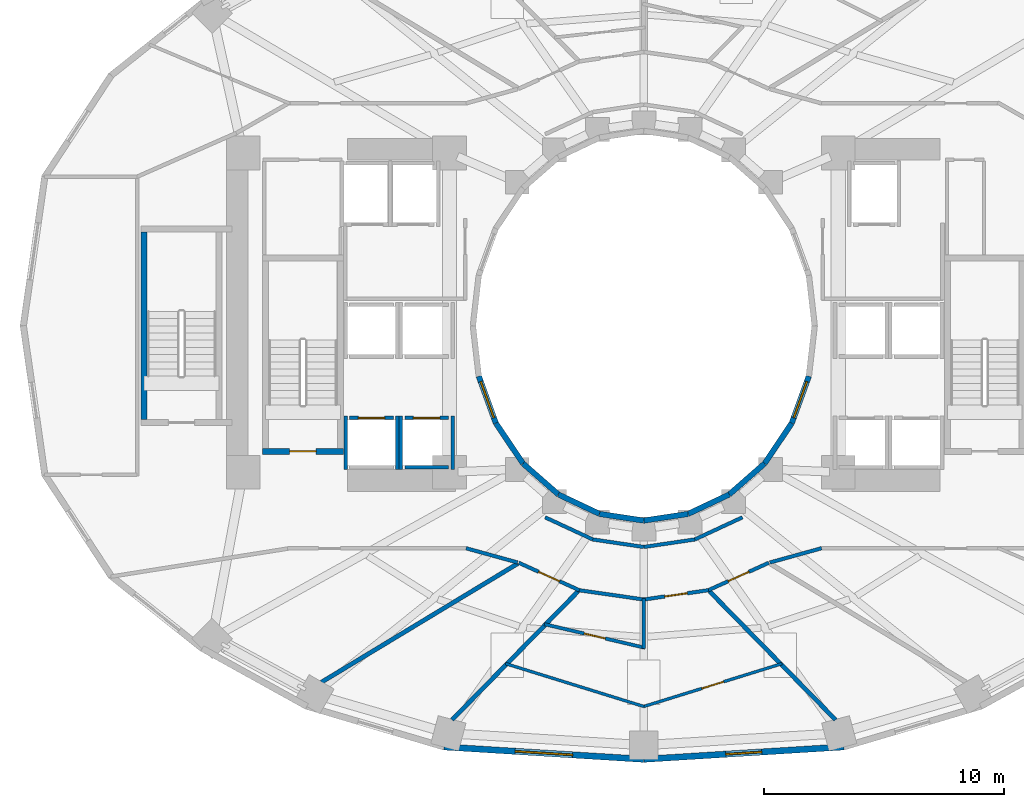
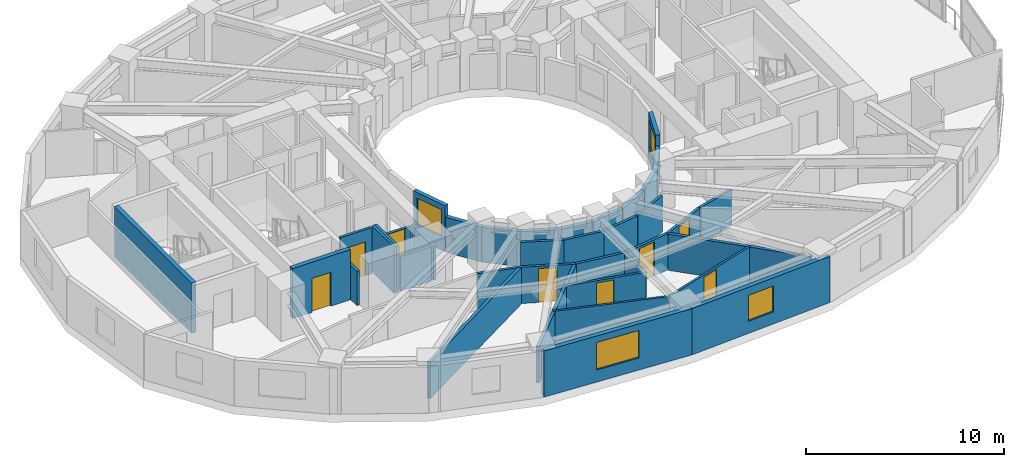
# One storey, part 7 of 15: 38 walls, 8 doors, 4 windows, 12 openings.
"""IFC4 building model written with IfcOpenShell, lengths in metres."""

from ifc_helpers import new_model, si_unit, direction, frame, frame_2d, origin, place, context, subcontext, project, spatial, rectangle, extrude, material, layer, layer_set, type_object, element, fill, save


model = new_model("IFC4")

# Units and contexts
model_context = context("Model", 3, precision=1e-05, world=origin(), true_north=direction((0.0, 1.0)))
body_context = subcontext(model_context, "Body", "Model", "MODEL_VIEW")
ifc_project = project(units=[si_unit("LENGTHUNIT", "METRE"), si_unit("AREAUNIT", "SQUARE_METRE"), si_unit("VOLUMEUNIT", "CUBIC_METRE"), si_unit("PLANEANGLEUNIT", "RADIAN"), si_unit("MASSUNIT", "GRAM", prefix="KILO")], contexts=[model_context])

# Site, building, storey
site_placement = place(None, origin())
site = spatial("IfcSite", under=ifc_project, at=site_placement, CompositionType="ELEMENT")
building_placement = place(site_placement, origin())
building = spatial("IfcBuilding", under=site, at=building_placement, Name="Solvane Sanctuary Tower", CompositionType="ELEMENT")
storey_placement = place(building_placement, frame((0.0, 0.0, 46.199951171875)))
storey = spatial("IfcBuildingStorey", under=building, at=storey_placement, Name="L13", CompositionType="ELEMENT", Elevation=46.199951171875)

# Walls
ifc_material_1 = material(Name="Acoustic Gypsum Partition Board")
ifc_layer_1 = layer(ifc_material_1, 0.14990234375, Name="Acoustic Gypsum Partition Board")
ifc_layer_set_1 = layer_set([ifc_layer_1], Name="Acoustic Gypsum Partition Board")
wall_type_1 = type_object("IfcWallType", Name="Wall W-CORR-150", PredefinedType="PARTITIONING", material=ifc_layer_set_1)
wall_1_placement = place(storey_placement, frame((27.889892578125, 15.01513671875, 0.0), z_axis=(0.0, 0.0, 1.0), x_axis=(0.906943449489, -0.421252393975, 0.0)))
element("IfcWall", 1, at=wall_1_placement, inside=storey, type_object=wall_type_1, Name="L13 Light-Well Corridor Rim Wall S1", PredefinedType="PARTITIONING", context=body_context, shape_type="SweptSolid", body=[
    extrude(rectangle(XDim=2.18603515625, YDim=0.14990234375, at=frame_2d((1.093017578125, 0.0))), origin(), (0.0, 0.0, 1.0), 2.237060546875),
])
for number, where, z_axis, x_axis, name in (
    (2, (29.87255859375, 14.09423828125, 0.0), (0.0, 0.0, 1.0), (0.989268584896, -0.146108408166, 0.0), "L13 Light-Well Corridor Rim Wall S2"),
    (3, (32.0, 13.780029296875, 0.0), (0.0, 0.0, 1.0), (0.989268584896, 0.146108408166, 0.0), "L13 Light-Well Corridor Rim Wall S3"),
):
    element("IfcWall", number, at=place(storey_placement, frame(where, z_axis=z_axis, x_axis=x_axis)), inside=storey, type_object=wall_type_1, Name=name, PredefinedType="PARTITIONING", context=body_context, shape_type="SweptSolid", body=[
        extrude(rectangle(XDim=2.150634765625, YDim=0.14990234375, at=frame_2d((1.0751953125, 0.0))), origin(), (0.0, 0.0, 1.0), 2.237060546875),
    ])
wall_2_placement = place(storey_placement, frame((34.12744140625, 14.09423828125, 0.0), z_axis=(0.0, 0.0, 1.0), x_axis=(0.906943449489, 0.421252393975, 0.0)))
element("IfcWall", 4, at=wall_2_placement, inside=storey, type_object=wall_type_1, Name="L13 Light-Well Corridor Rim Wall S4", PredefinedType="PARTITIONING", context=body_context, shape_type="SweptSolid", body=[
    extrude(rectangle(XDim=2.18603515625, YDim=0.14990234375, at=frame_2d((1.093017578125, 0.0))), origin(), (0.0, 0.0, 1.0), 2.237060546875),
])
for number, where, z_axis, x_axis, name in (
    (5, (26.741943359375, 13.13330078125, 0.0), (0.0, 0.0, 1.0), (-0.963833843713, 0.266503886865, 0.0), "L13 SW Corner Throat Wall"),
    (6, (37.258056640625, 13.13330078125, 0.0), (0.0, 0.0, 1.0), (0.963833843713, 0.266503886865, 0.0), "L13 SE Corner Throat Wall"),
):
    element("IfcWall", number, at=place(storey_placement, frame(where, z_axis=z_axis, x_axis=x_axis)), inside=storey, type_object=wall_type_1, Name=name, PredefinedType="PARTITIONING", context=body_context, shape_type="SweptSolid", body=[
        extrude(rectangle(XDim=2.231689453125, YDim=0.14990234375, at=frame_2d((1.11572265625, 0.0))), origin(), (0.0, 0.0, 1.0), 2.237060546875),
    ])

# Wall, opening, door
wall_3_placement = place(storey_placement, frame((26.788818359375, 13.12255859375, 0.0), z_axis=(0.0, 0.0, 1.0), x_axis=(0.910568469686, -0.41335827319, 0.0)))
wall_3 = element("IfcWall", 7, at=wall_3_placement, inside=storey, type_object=wall_type_1, Name="L13 Unit Corridor Wall S1", PredefinedType="PARTITIONING", context=body_context, shape_type="SweptSolid", body=[
    extrude(rectangle(XDim=2.771728515625, YDim=0.14990234375, at=frame_2d((1.3857421875, 0.0))), origin(), (0.0, 0.0, 1.0), 2.237060546875),
])
opening_1_placement = place(wall_3_placement, frame((0.910888671875, 0.0, 0.0)))
opening_1 = element("IfcOpeningElement", 8, at=opening_1_placement, cuts=wall_3, Name="Opening D-L13-22", PredefinedType="OPENING", context=body_context, shape_type="SweptSolid", body=[
    extrude(rectangle(XDim=0.949951171875, YDim=2.10009765625, at=frame_2d((0.47509765625, 1.050048828125))), frame((0.0, 0.0849609375, 0.0), z_axis=(0.0, -1.0, 0.0), x_axis=(1.0, 0.0, 0.0)), (0.0, 0.0, 1.0), 0.169921875),
])
ifc_material_2 = material(Name="Engineered Tropical Hardwood", Category="wood")
door_type_1 = type_object("IfcDoorType", Name="Door D-ROOM-950", OperationType="NOTDEFINED", PredefinedType="DOOR", material=ifc_material_2)
door_1_placement = place(opening_1_placement, origin())
door_1 = element("IfcDoor", 9, at=door_1_placement, inside=storey, type_object=door_type_1, Name="L13 Unit Entrance Door S1", OperationType="SINGLE_SWING_LEFT", OverallHeight=2.10009765625, OverallWidth=0.949951171875, PredefinedType="DOOR", context=body_context, shape_type="SweptSolid", body=[
    extrude(rectangle(XDim=0.949951171875, YDim=2.10009765625, at=frame_2d((0.47509765625, 1.050048828125))), frame((0.0, 0.02490234375, 0.0), z_axis=(0.0, -1.0, 0.0), x_axis=(1.0, 0.0, 0.0)), (0.0, 0.0, 1.0), 0.050048828125),
])
fill(opening_1, door_1)

# Wall
wall_4_placement = place(storey_placement, frame((29.256103515625, 11.98583984375, 0.0), z_axis=(0.0, 0.0, 1.0), x_axis=(0.989761784218, -0.142729150844, 0.0)))
element("IfcWall", 10, at=wall_4_placement, inside=storey, type_object=wall_type_1, Name="L13 En-suite Inner Wall S2", PredefinedType="PARTITIONING", context=body_context, shape_type="SweptSolid", body=[
    extrude(rectangle(XDim=2.822265625, YDim=0.14990234375, at=frame_2d((1.4111328125, 0.0))), origin(), (0.0, 0.0, 1.0), 2.237060546875),
])

# Wall, opening, door
wall_5_placement = place(storey_placement, frame((31.99267578125, 11.590087890625, 0.0), z_axis=(0.0, 0.0, 1.0), x_axis=(0.989748682384, 0.142819976611, 0.0)))
wall_5 = element("IfcWall", 11, at=wall_5_placement, inside=storey, type_object=wall_type_1, Name="L13 Unit Corridor Wall S2", PredefinedType="PARTITIONING", context=body_context, shape_type="SweptSolid", body=[
    extrude(rectangle(XDim=2.73681640625, YDim=0.14990234375, at=frame_2d((1.368408203125, 0.0))), origin(), (0.0, 0.0, 1.0), 2.237060546875),
])
opening_2_placement = place(wall_5_placement, frame((0.893310546875, 0.0, 0.0)))
opening_2 = element("IfcOpeningElement", 12, at=opening_2_placement, cuts=wall_5, Name="Opening D-L13-25", PredefinedType="OPENING", context=body_context, shape_type="SweptSolid", body=[
    extrude(rectangle(XDim=0.949951171875, YDim=2.10009765625, at=frame_2d((0.47509765625, 1.050048828125))), frame((0.0, 0.0849609375, 0.0), z_axis=(0.0, -1.0, 0.0), x_axis=(1.0, 0.0, 0.0)), (0.0, 0.0, 1.0), 0.169921875),
])
door_2_placement = place(opening_2_placement, origin())
door_2 = element("IfcDoor", 13, at=door_2_placement, inside=storey, type_object=door_type_1, Name="L13 Unit Entrance Door S2", OperationType="SINGLE_SWING_RIGHT", OverallHeight=2.10009765625, OverallWidth=0.949951171875, PredefinedType="DOOR", context=body_context, shape_type="SweptSolid", body=[
    extrude(rectangle(XDim=0.949951171875, YDim=2.10009765625, at=frame_2d((0.47509765625, 1.050048828125))), frame((0.0, 0.02490234375, 0.0), z_axis=(0.0, -1.0, 0.0), x_axis=(1.0, 0.0, 0.0)), (0.0, 0.0, 1.0), 0.050048828125),
])
fill(opening_2, door_2)

wall_6_placement = place(storey_placement, frame((34.687255859375, 11.976806640625, 0.0), z_axis=(0.0, 0.0, 1.0), x_axis=(0.910568469686, 0.41335827319, 0.0)))
wall_6 = element("IfcWall", 14, at=wall_6_placement, inside=storey, type_object=wall_type_1, Name="L13 Unit Corridor Wall S3", PredefinedType="PARTITIONING", context=body_context, shape_type="SweptSolid", body=[
    extrude(rectangle(XDim=2.771728515625, YDim=0.14990234375, at=frame_2d((1.3857421875, 0.0))), origin(), (0.0, 0.0, 1.0), 2.237060546875),
])
opening_3_placement = place(wall_6_placement, frame((0.910888671875, 0.0, 0.0)))
opening_3 = element("IfcOpeningElement", 15, at=opening_3_placement, cuts=wall_6, Name="Opening D-L13-26", PredefinedType="OPENING", context=body_context, shape_type="SweptSolid", body=[
    extrude(rectangle(XDim=0.949951171875, YDim=2.10009765625, at=frame_2d((0.47509765625, 1.050048828125))), frame((0.0, 0.0849609375, 0.0), z_axis=(0.0, -1.0, 0.0), x_axis=(1.0, 0.0, 0.0)), (0.0, 0.0, 1.0), 0.169921875),
])
door_3_placement = place(opening_3_placement, origin())
door_3 = element("IfcDoor", 16, at=door_3_placement, inside=storey, type_object=door_type_1, Name="L13 Unit Entrance Door S3", OperationType="SINGLE_SWING_LEFT", OverallHeight=2.10009765625, OverallWidth=0.949951171875, PredefinedType="DOOR", context=body_context, shape_type="SweptSolid", body=[
    extrude(rectangle(XDim=0.949951171875, YDim=2.10009765625, at=frame_2d((0.47509765625, 1.050048828125))), frame((0.0, 0.02490234375, 0.0), z_axis=(0.0, -1.0, 0.0), x_axis=(1.0, 0.0, 0.0)), (0.0, 0.0, 1.0), 0.050048828125),
])
fill(opening_3, door_3)

# Wall, opening, window
ifc_material_3 = material(Name="Precast concrete C40/50", Category="concrete")
ifc_layer_2 = layer(ifc_material_3, 0.260009765625, Name="Precast concrete C40/50")
ifc_layer_set_2 = layer_set([ifc_layer_2], Name="Precast concrete C40/50")
wall_type_2 = type_object("IfcWallType", Name="Wall W-EXT-250", PredefinedType="STANDARD", material=ifc_layer_set_2)
wall_7_placement = place(storey_placement, frame((23.668212890625, 5.447021484375, 0.0), z_axis=(0.0, 0.0, 1.0), x_axis=(0.998090514779, -0.061768311519, 0.0)))
wall_7 = element("IfcWall", 17, at=wall_7_placement, inside=storey, type_object=wall_type_2, Name="L13 Ceramic-Printed Facade Wall 17", PredefinedType="STANDARD", context=body_context, shape_type="SweptSolid", body=[
    extrude(rectangle(XDim=8.34765625, YDim=0.260009765625, at=frame_2d((4.173828125, 0.0))), origin(), (0.0, 0.0, 1.0), 2.85009765625),
])
opening_4_placement = place(wall_7_placement, frame((2.973876953125, 0.0, 0.75)))
opening_4 = element("IfcOpeningElement", 18, at=opening_4_placement, cuts=wall_7, Name="Opening WN-RIB-2400", PredefinedType="OPENING", context=body_context, shape_type="SweptSolid", body=[
    extrude(rectangle(XDim=2.39990234375, YDim=1.699951171875, at=frame_2d((1.199951171875, 0.85009765625))), frame((0.0, 0.139892578125, 0.0), z_axis=(0.0, -1.0, 0.0), x_axis=(1.0, 0.0, 0.0)), (0.0, 0.0, 1.0), 0.280029296875),
])
ifc_material_4 = material(Name="Dark Ceramic-Fritted Low-E Glass", Category="glass")
window_type_1 = type_object("IfcWindowType", Name="Window WN-RIB-2400", PartitioningType="SINGLE_PANEL", PredefinedType="WINDOW", material=ifc_material_4)
window_1_placement = place(opening_4_placement, origin())
window_1 = element("IfcWindow", 19, at=window_1_placement, inside=storey, type_object=window_type_1, Name="L13 Operable Facade Window 17", OverallHeight=1.699951171875, OverallWidth=2.39990234375, PartitioningType="SINGLE_PANEL", PredefinedType="WINDOW", context=body_context, shape_type="SweptSolid", body=[
    extrude(rectangle(XDim=2.39990234375, YDim=1.699951171875, at=frame_2d((1.199951171875, 0.85009765625))), frame((0.0, 0.030029296875, 0.0), z_axis=(0.0, -1.0, 0.0), x_axis=(1.0, 0.0, 0.0)), (0.0, 0.0, 1.0), 0.06005859375),
])
fill(opening_4, window_1)

wall_8_placement = place(storey_placement, frame((32.0, 4.931396484375, 0.0), z_axis=(0.0, 0.0, 1.0), x_axis=(0.998090514779, 0.061768311519, 0.0)))
wall_8 = element("IfcWall", 20, at=wall_8_placement, inside=storey, type_object=wall_type_2, Name="L13 Ceramic-Printed Facade Wall 18", PredefinedType="STANDARD", context=body_context, shape_type="SweptSolid", body=[
    extrude(rectangle(XDim=8.34765625, YDim=0.260009765625, at=frame_2d((4.173828125, 0.0))), origin(), (0.0, 0.0, 1.0), 2.85009765625),
])
opening_5_placement = place(wall_8_placement, frame((3.423828125, 0.0, 0.75)))
opening_5 = element("IfcOpeningElement", 21, at=opening_5_placement, cuts=wall_8, Name="Opening WN-OPER-1500", PredefinedType="OPENING", context=body_context, shape_type="SweptSolid", body=[
    extrude(rectangle(XDim=1.5, YDim=1.60009765625, at=frame_2d((0.75, 0.800048828125))), frame((0.0, 0.139892578125, 0.0), z_axis=(0.0, -1.0, 0.0), x_axis=(1.0, 0.0, 0.0)), (0.0, 0.0, 1.0), 0.280029296875),
])
window_type_2 = type_object("IfcWindowType", Name="Window WN-OPER-1500", PartitioningType="SINGLE_PANEL", PredefinedType="WINDOW", material=ifc_material_4)
window_2_placement = place(opening_5_placement, origin())
window_2 = element("IfcWindow", 22, at=window_2_placement, inside=storey, type_object=window_type_2, Name="L13 Operable Facade Window 18", OverallHeight=1.60009765625, OverallWidth=1.5, PartitioningType="SINGLE_PANEL", PredefinedType="WINDOW", context=body_context, shape_type="SweptSolid", body=[
    extrude(rectangle(XDim=1.5, YDim=1.60009765625, at=frame_2d((0.75, 0.800048828125))), frame((0.0, 0.030029296875, 0.0), z_axis=(0.0, -1.0, 0.0), x_axis=(1.0, 0.0, 0.0)), (0.0, 0.0, 1.0), 0.06005859375),
])
fill(opening_5, window_2)

ifc_layer_3 = layer(ifc_material_3, 0.22998046875, Name="Precast concrete C40/50")
ifc_layer_set_3 = layer_set([ifc_layer_3], Name="Precast concrete C40/50")
wall_type_3 = type_object("IfcWallType", Name="Wall W-EXT-SP220", PredefinedType="STANDARD", material=ifc_layer_set_3)
wall_9_placement = place(storey_placement, frame((25.12255859375, 20.8984375, 0.0), z_axis=(0.0, 0.0, 1.0), x_axis=(0.341423187295, -0.93990968033, 0.0)))
wall_9 = element("IfcWall", 23, at=wall_9_placement, inside=storey, type_object=wall_type_3, Name="L13 Central Light-Well Wall 13", PredefinedType="STANDARD", context=body_context, shape_type="SweptSolid", body=[
    extrude(rectangle(XDim=2.083740234375, YDim=0.22998046875, at=frame_2d((1.0419921875, 0.0))), origin(), (0.0, 0.0, 1.0), 2.840087890625),
])
opening_6_placement = place(wall_9_placement, frame((0.24169921875, 0.0, 0.85009765625)))
opening_6 = element("IfcOpeningElement", 24, at=opening_6_placement, cuts=wall_9, Name="Opening WN-WELL-1600", PredefinedType="OPENING", context=body_context, shape_type="SweptSolid", body=[
    extrude(rectangle(XDim=1.60009765625, YDim=1.64990234375, at=frame_2d((0.800048828125, 0.824951171875))), frame((0.0, 0.125, 0.0), z_axis=(0.0, -1.0, 0.0), x_axis=(1.0, 0.0, 0.0)), (0.0, 0.0, 1.0), 0.25),
])
ifc_material_5 = material(Name="Clear Laminated Light-Well Glass", Category="glass")
window_type_3 = type_object("IfcWindowType", Name="Window WN-WELL-1600", PartitioningType="SINGLE_PANEL", PredefinedType="WINDOW", material=ifc_material_5)
window_3_placement = place(opening_6_placement, origin())
window_3 = element("IfcWindow", 25, at=window_3_placement, inside=storey, type_object=window_type_3, Name="L13 Light-Well Daylight Window 13", OverallHeight=1.64990234375, OverallWidth=1.60009765625, PartitioningType="SINGLE_PANEL", PredefinedType="WINDOW", context=body_context, shape_type="SweptSolid", body=[
    extrude(rectangle(XDim=1.60009765625, YDim=1.64990234375, at=frame_2d((0.800048828125, 0.824951171875))), frame((0.0, 0.030029296875, 0.0), z_axis=(0.0, -1.0, 0.0), x_axis=(1.0, 0.0, 0.0)), (0.0, 0.0, 1.0), 0.06005859375),
])
fill(opening_6, window_3)

# Walls
wall_10_placement = place(storey_placement, frame((25.833984375, 18.93994140625, 0.0), z_axis=(0.0, 0.0, 1.0), x_axis=(0.558197800898, -0.829707909492, 0.0)))
element("IfcWall", 26, at=wall_10_placement, inside=storey, type_object=wall_type_3, Name="L13 Central Light-Well Wall 14", PredefinedType="STANDARD", context=body_context, shape_type="SweptSolid", body=[
    extrude(rectangle(XDim=2.02685546875, YDim=0.22998046875, at=frame_2d((1.013427734375, 0.0))), origin(), (0.0, 0.0, 1.0), 2.16015625),
])
wall_11_placement = place(storey_placement, frame((26.96533203125, 17.25830078125, 0.0), z_axis=(0.0, 0.0, 1.0), x_axis=(0.752576694707, -0.658504607869, 0.0)))
element("IfcWall", 27, at=wall_11_placement, inside=storey, type_object=wall_type_3, Name="L13 Central Light-Well Wall 15", PredefinedType="STANDARD", context=body_context, shape_type="SweptSolid", body=[
    extrude(rectangle(XDim=1.95947265625, YDim=0.22998046875, at=frame_2d((0.979736328125, 0.0))), origin(), (0.0, 0.0, 1.0), 2.16015625),
])
wall_12_placement = place(storey_placement, frame((28.43994140625, 15.968017578125, 0.0), z_axis=(0.0, 0.0, 1.0), x_axis=(0.904179699603, -0.427152280606, 0.0)))
element("IfcWall", 28, at=wall_12_placement, inside=storey, type_object=wall_type_3, Name="L13 Central Light-Well Wall 16", PredefinedType="STANDARD", context=body_context, shape_type="SweptSolid", body=[
    extrude(rectangle(XDim=1.899169921875, YDim=0.22998046875, at=frame_2d((0.94970703125, 0.0))), origin(), (0.0, 0.0, 1.0), 2.16015625),
])
for number, where, z_axis, x_axis, name in (
    (29, (30.1572265625, 15.15673828125, 0.0), (0.0, 0.0, 1.0), (0.988901730308, -0.148571086668, 0.0), "L13 Central Light-Well Wall 17"),
    (30, (32.0, 14.8798828125, 0.0), (0.0, 0.0, 1.0), (0.988901730308, 0.148571086668, 0.0), "L13 Central Light-Well Wall 18"),
):
    element("IfcWall", number, at=place(storey_placement, frame(where, z_axis=z_axis, x_axis=x_axis)), inside=storey, type_object=wall_type_3, Name=name, PredefinedType="STANDARD", context=body_context, shape_type="SweptSolid", body=[
        extrude(rectangle(XDim=1.863525390625, YDim=0.22998046875, at=frame_2d((0.931640625, 0.0))), origin(), (0.0, 0.0, 1.0), 2.16015625),
    ])
wall_13_placement = place(storey_placement, frame((33.8427734375, 15.15673828125, 0.0), z_axis=(0.0, 0.0, 1.0), x_axis=(0.904179699603, 0.427152280606, 0.0)))
element("IfcWall", 31, at=wall_13_placement, inside=storey, type_object=wall_type_3, Name="L13 Central Light-Well Wall 19", PredefinedType="STANDARD", context=body_context, shape_type="SweptSolid", body=[
    extrude(rectangle(XDim=1.899169921875, YDim=0.22998046875, at=frame_2d((0.94970703125, 0.0))), origin(), (0.0, 0.0, 1.0), 2.16015625),
])
wall_14_placement = place(storey_placement, frame((35.56005859375, 15.968017578125, 0.0), z_axis=(0.0, 0.0, 1.0), x_axis=(0.752576694707, 0.658504607869, 0.0)))
element("IfcWall", 32, at=wall_14_placement, inside=storey, type_object=wall_type_3, Name="L13 Central Light-Well Wall 20", PredefinedType="STANDARD", context=body_context, shape_type="SweptSolid", body=[
    extrude(rectangle(XDim=1.95947265625, YDim=0.22998046875, at=frame_2d((0.979736328125, 0.0))), origin(), (0.0, 0.0, 1.0), 2.16015625),
])
wall_15_placement = place(storey_placement, frame((37.03466796875, 17.25830078125, 0.0), z_axis=(0.0, 0.0, 1.0), x_axis=(0.558197800898, 0.829707909492, 0.0)))
element("IfcWall", 33, at=wall_15_placement, inside=storey, type_object=wall_type_3, Name="L13 Central Light-Well Wall 21", PredefinedType="STANDARD", context=body_context, shape_type="SweptSolid", body=[
    extrude(rectangle(XDim=2.02685546875, YDim=0.22998046875, at=frame_2d((1.013427734375, 0.0))), origin(), (0.0, 0.0, 1.0), 2.16015625),
])

# Wall, opening, window
wall_16_placement = place(storey_placement, frame((38.166015625, 18.93994140625, 0.0), z_axis=(0.0, 0.0, 1.0), x_axis=(0.341423187295, 0.93990968033, 0.0)))
wall_16 = element("IfcWall", 34, at=wall_16_placement, inside=storey, type_object=wall_type_3, Name="L13 Central Light-Well Wall 22", PredefinedType="STANDARD", context=body_context, shape_type="SweptSolid", body=[
    extrude(rectangle(XDim=2.083740234375, YDim=0.22998046875, at=frame_2d((1.0419921875, 0.0))), origin(), (0.0, 0.0, 1.0), 2.840087890625),
])
opening_7_placement = place(wall_16_placement, frame((0.24169921875, 0.0, 0.85009765625)))
opening_7 = element("IfcOpeningElement", 35, at=opening_7_placement, cuts=wall_16, Name="Opening WN-WELL-1600", PredefinedType="OPENING", context=body_context, shape_type="SweptSolid", body=[
    extrude(rectangle(XDim=1.60009765625, YDim=1.64990234375, at=frame_2d((0.800048828125, 0.824951171875))), frame((0.0, 0.125, 0.0), z_axis=(0.0, -1.0, 0.0), x_axis=(1.0, 0.0, 0.0)), (0.0, 0.0, 1.0), 0.25),
])
window_4_placement = place(opening_7_placement, origin())
window_4 = element("IfcWindow", 36, at=window_4_placement, inside=storey, type_object=window_type_3, Name="L13 Light-Well Daylight Window 22", OverallHeight=1.64990234375, OverallWidth=1.60009765625, PartitioningType="SINGLE_PANEL", PredefinedType="WINDOW", context=body_context, shape_type="SweptSolid", body=[
    extrude(rectangle(XDim=1.60009765625, YDim=1.64990234375, at=frame_2d((0.800048828125, 0.824951171875))), frame((0.0, 0.030029296875, 0.0), z_axis=(0.0, -1.0, 0.0), x_axis=(1.0, 0.0, 0.0)), (0.0, 0.0, 1.0), 0.06005859375),
])
fill(opening_7, window_4)

# Wall
ifc_layer_4 = layer(ifc_material_1, 0.1201171875, Name="Acoustic Gypsum Partition Board")
ifc_layer_set_4 = layer_set([ifc_layer_4], Name="Acoustic Gypsum Partition Board")
wall_type_4 = type_object("IfcWallType", Name="Wall W-MOV-100", PredefinedType="MOVABLE", material=ifc_layer_set_4)
wall_17_placement = place(storey_placement, frame((26.24072265625, 8.91748046875, 0.0), z_axis=(0.0, 0.0, 1.0), x_axis=(0.955191504197, -0.29598849692, 0.0)))
element("IfcWall", 37, at=wall_17_placement, inside=storey, type_object=wall_type_4, Name="L13 Suite Sitting Lounge Partition S2", PredefinedType="MOVABLE", context=body_context, shape_type="SweptSolid", body=[
    extrude(rectangle(XDim=6.039306640625, YDim=0.1201171875, at=frame_2d((3.01953125, 0.0))), origin(), (0.0, 0.0, 1.0), 2.237060546875),
])

# Wall, opening, door
wall_18_placement = place(storey_placement, frame((31.990478515625, 7.1298828125, 0.0), z_axis=(0.0, 0.0, 1.0), x_axis=(0.955191504197, 0.29598849692, 0.0)))
wall_18 = element("IfcWall", 38, at=wall_18_placement, inside=storey, type_object=wall_type_4, Name="L13 Suite Sitting Lounge Partition S2", PredefinedType="MOVABLE", context=body_context, shape_type="SweptSolid", body=[
    extrude(rectangle(XDim=6.039306640625, YDim=0.1201171875, at=frame_2d((3.01953125, 0.0))), origin(), (0.0, 0.0, 1.0), 2.237060546875),
])
opening_8_placement = place(wall_18_placement, frame((2.544677734375, 0.0, 0.0)))
opening_8 = element("IfcOpeningElement", 39, at=opening_8_placement, cuts=wall_18, Name="Opening D-L13-23", PredefinedType="OPENING", context=body_context, shape_type="SweptSolid", body=[
    extrude(rectangle(XDim=0.949951171875, YDim=2.10009765625, at=frame_2d((0.47509765625, 1.050048828125))), frame((0.0, 0.070068359375, 0.0), z_axis=(0.0, -1.0, 0.0), x_axis=(1.0, 0.0, 0.0)), (0.0, 0.0, 1.0), 0.14013671875),
])
door_4_placement = place(opening_8_placement, origin())
door_4 = element("IfcDoor", 40, at=door_4_placement, inside=storey, type_object=door_type_1, Name="L13 Suite Sitting Lounge Door S2", OperationType="SINGLE_SWING_RIGHT", OverallHeight=2.10009765625, OverallWidth=0.949951171875, PredefinedType="DOOR", context=body_context, shape_type="SweptSolid", body=[
    extrude(rectangle(XDim=0.949951171875, YDim=2.10009765625, at=frame_2d((0.47509765625, 1.050048828125))), frame((0.0, 0.02490234375, 0.0), z_axis=(0.0, -1.0, 0.0), x_axis=(1.0, 0.0, 0.0)), (0.0, 0.0, 1.0), 0.050048828125),
])
fill(opening_8, door_4)

ifc_material_6 = material(Name="Concrete C50/60", Category="concrete")
ifc_layer_5 = layer(ifc_material_6, 0.14990234375, Name="Concrete C50/60")
ifc_layer_set_5 = layer_set([ifc_layer_5], Name="Concrete C50/60")
wall_type_5 = type_object("IfcWallType", Name="Wall W-SHAFT-150", PredefinedType="SOLIDWALL", material=ifc_layer_set_5)
wall_19_placement = place(storey_placement, frame((19.739990234375, 19.159912109375, 0.0), z_axis=(0.0, 0.0, 1.0), x_axis=(1.0, 0.0, 0.0)))
wall_19 = element("IfcWall", 41, at=wall_19_placement, inside=storey, type_object=wall_type_5, Name="L13 PL-1 Lift Shaft Wall F", PredefinedType="SOLIDWALL", context=body_context, shape_type="SweptSolid", body=[
    extrude(rectangle(XDim=1.820068359375, YDim=0.14990234375, at=frame_2d((0.91015625, 0.0))), origin(), (0.0, 0.0, 1.0), 2.85498046875),
])
opening_9_placement = place(wall_19_placement, frame((0.360107421875, 0.0, 0.0)))
opening_9 = element("IfcOpeningElement", 42, at=opening_9_placement, cuts=wall_19, Name="Opening LD-L13-01", PredefinedType="OPENING", context=body_context, shape_type="SweptSolid", body=[
    extrude(rectangle(XDim=1.10009765625, YDim=2.10009765625, at=frame_2d((0.550048828125, 1.050048828125))), frame((0.0, 0.0849609375, 0.0), z_axis=(0.0, -1.0, 0.0), x_axis=(1.0, 0.0, 0.0)), (0.0, 0.0, 1.0), 0.169921875),
])
ifc_material_7 = material(Name="Architectural Stainless Steel 316", Category="steel")
door_type_2 = type_object("IfcDoorType", Name="Door LD-PASS-1100", OperationType="NOTDEFINED", PredefinedType="DOOR", material=ifc_material_7)
door_5_placement = place(opening_9_placement, origin())
door_5 = element("IfcDoor", 43, at=door_5_placement, inside=storey, type_object=door_type_2, Name="L13 PL-1 Lift Landing Door", OperationType="DOUBLE_DOOR_SLIDING", OverallHeight=2.10009765625, OverallWidth=1.10009765625, PredefinedType="DOOR", context=body_context, shape_type="SweptSolid", body=[
    extrude(rectangle(XDim=1.10009765625, YDim=2.10009765625, at=frame_2d((0.550048828125, 1.050048828125))), frame((0.0, 0.02490234375, 0.0), z_axis=(0.0, -1.0, 0.0), x_axis=(1.0, 0.0, 0.0)), (0.0, 0.0, 1.0), 0.050048828125),
])
fill(opening_9, door_5)

# Walls
wall_20_placement = place(storey_placement, frame((19.570068359375, 17.02001953125, 0.0), z_axis=(0.0, 0.0, 1.0), x_axis=(0.0, 1.0, 0.0)))
element("IfcWall", 44, at=wall_20_placement, inside=storey, type_object=wall_type_5, Name="L13 PL-1 Lift Shaft Wall S1", PredefinedType="SOLIDWALL", context=body_context, shape_type="SweptSolid", body=[
    extrude(rectangle(XDim=2.219970703125, YDim=0.14990234375, at=frame_2d((1.10986328125, 0.0))), origin(), (0.0, 0.0, 1.0), 2.1201171875),
])
wall_21_placement = place(storey_placement, frame((21.72998046875, 17.02001953125, 0.0), z_axis=(0.0, 0.0, 1.0), x_axis=(0.0, 1.0, 0.0)))
element("IfcWall", 45, at=wall_21_placement, inside=storey, type_object=wall_type_5, Name="L13 PL-1 Lift Shaft Wall S2", PredefinedType="SOLIDWALL", context=body_context, shape_type="SweptSolid", body=[
    extrude(rectangle(XDim=2.219970703125, YDim=0.14990234375, at=frame_2d((1.10986328125, 0.0))), origin(), (0.0, 0.0, 1.0), 2.85498046875),
])

# Wall, opening, door
wall_22_placement = place(storey_placement, frame((22.0400390625, 19.159912109375, 0.0), z_axis=(0.0, 0.0, 1.0), x_axis=(1.0, 0.0, 0.0)))
wall_22 = element("IfcWall", 46, at=wall_22_placement, inside=storey, type_object=wall_type_5, Name="L13 PL-2 Lift Shaft Wall F", PredefinedType="SOLIDWALL", context=body_context, shape_type="SweptSolid", body=[
    extrude(rectangle(XDim=1.820068359375, YDim=0.14990234375, at=frame_2d((0.91015625, 0.0))), origin(), (0.0, 0.0, 1.0), 2.1201171875),
])
opening_10_placement = place(wall_22_placement, frame((0.360107421875, 0.0, 0.0)))
opening_10 = element("IfcOpeningElement", 47, at=opening_10_placement, cuts=wall_22, Name="Opening LD-L13-02", PredefinedType="OPENING", context=body_context, shape_type="SweptSolid", body=[
    extrude(rectangle(XDim=1.10009765625, YDim=2.10009765625, at=frame_2d((0.550048828125, 1.050048828125))), frame((0.0, 0.0849609375, 0.0), z_axis=(0.0, -1.0, 0.0), x_axis=(1.0, 0.0, 0.0)), (0.0, 0.0, 1.0), 0.169921875),
])
door_6_placement = place(opening_10_placement, origin())
door_6 = element("IfcDoor", 48, at=door_6_placement, inside=storey, type_object=door_type_2, Name="L13 PL-2 Lift Landing Door", OperationType="DOUBLE_DOOR_SLIDING", OverallHeight=2.10009765625, OverallWidth=1.10009765625, PredefinedType="DOOR", context=body_context, shape_type="SweptSolid", body=[
    extrude(rectangle(XDim=1.10009765625, YDim=2.10009765625, at=frame_2d((0.550048828125, 1.050048828125))), frame((0.0, 0.02490234375, 0.0), z_axis=(0.0, -1.0, 0.0), x_axis=(1.0, 0.0, 0.0)), (0.0, 0.0, 1.0), 0.050048828125),
])
fill(opening_10, door_6)

# Walls
wall_23_placement = place(storey_placement, frame((22.0400390625, 17.10009765625, 0.0), z_axis=(0.0, 0.0, 1.0), x_axis=(1.0, 0.0, 0.0)))
element("IfcWall", 49, at=wall_23_placement, inside=storey, type_object=wall_type_5, Name="L13 PL-2 Lift Shaft Wall B", PredefinedType="SOLIDWALL", context=body_context, shape_type="SweptSolid", body=[
    extrude(rectangle(XDim=1.820068359375, YDim=0.14990234375, at=frame_2d((0.91015625, 0.0))), origin(), (0.0, 0.0, 1.0), 2.1201171875),
])
wall_24_placement = place(storey_placement, frame((21.8701171875, 17.02001953125, 0.0), z_axis=(0.0, 0.0, 1.0), x_axis=(0.0, 1.0, 0.0)))
element("IfcWall", 50, at=wall_24_placement, inside=storey, type_object=wall_type_5, Name="L13 PL-2 Lift Shaft Wall S1", PredefinedType="SOLIDWALL", context=body_context, shape_type="SweptSolid", body=[
    extrude(rectangle(XDim=2.219970703125, YDim=0.14990234375, at=frame_2d((1.10986328125, 0.0))), origin(), (0.0, 0.0, 1.0), 2.85498046875),
])
wall_25_placement = place(storey_placement, frame((24.030029296875, 17.02001953125, 0.0), z_axis=(0.0, 0.0, 1.0), x_axis=(0.0, 1.0, 0.0)))
element("IfcWall", 51, at=wall_25_placement, inside=storey, type_object=wall_type_5, Name="L13 PL-2 Lift Shaft Wall S2", PredefinedType="SOLIDWALL", context=body_context, shape_type="SweptSolid", body=[
    extrude(rectangle(XDim=2.219970703125, YDim=0.14990234375, at=frame_2d((1.10986328125, 0.0))), origin(), (0.0, 0.0, 1.0), 2.1201171875),
])

# Wall, opening, door
ifc_layer_6 = layer(ifc_material_6, 0.25, Name="Concrete C50/60")
ifc_layer_set_6 = layer_set([ifc_layer_6], Name="Concrete C50/60")
wall_type_6 = type_object("IfcWallType", Name="Wall W-SHAFT-250", PredefinedType="SOLIDWALL", material=ifc_layer_set_6)
wall_26_placement = place(storey_placement, frame((16.10498046875, 17.77001953125, 0.0), z_axis=(0.0, 0.0, 1.0), x_axis=(1.0, 0.0, 0.0)))
wall_26 = element("IfcWall", 52, at=wall_26_placement, inside=storey, type_object=wall_type_6, Name="L13 ST-1 Load-Bearing Shaft Wall S", PredefinedType="SOLIDWALL", context=body_context, shape_type="SweptSolid", body=[
    extrude(rectangle(XDim=3.3701171875, YDim=0.25, at=frame_2d((1.68505859375, 0.0))), origin(), (0.0, 0.0, 1.0), 3.10009765625),
])
opening_11_placement = place(wall_26_placement, frame((1.135009765625, 0.0, 0.0)))
opening_11 = element("IfcOpeningElement", 53, at=opening_11_placement, cuts=wall_26, Name="Opening D-L13-01", PredefinedType="OPENING", context=body_context, shape_type="SweptSolid", body=[
    extrude(rectangle(XDim=1.10009765625, YDim=2.10009765625, at=frame_2d((0.550048828125, 1.050048828125))), frame((0.0, 0.135009765625, 0.0), z_axis=(0.0, -1.0, 0.0), x_axis=(1.0, 0.0, 0.0)), (0.0, 0.0, 1.0), 0.27001953125),
])
door_type_3 = type_object("IfcDoorType", Name="Door D-STAIR", OperationType="NOTDEFINED", PredefinedType="DOOR", material=ifc_material_7)
door_7_placement = place(opening_11_placement, origin())
door_7 = element("IfcDoor", 54, at=door_7_placement, inside=storey, type_object=door_type_3, Name="L13 ST-1 Exit Stair Fire Door", OperationType="SINGLE_SWING_LEFT", OverallHeight=2.10009765625, OverallWidth=1.10009765625, PredefinedType="DOOR", context=body_context, shape_type="SweptSolid", body=[
    extrude(rectangle(XDim=1.10009765625, YDim=2.10009765625, at=frame_2d((0.550048828125, 1.050048828125))), frame((0.0, 0.02490234375, 0.0), z_axis=(0.0, -1.0, 0.0), x_axis=(1.0, 0.0, 0.0)), (0.0, 0.0, 1.0), 0.050048828125),
])
fill(opening_11, door_7)

# Walls
wall_27_placement = place(storey_placement, frame((11.169921875, 19.094970703125, 0.0), z_axis=(0.0, 0.0, 1.0), x_axis=(0.0, 1.0, 0.0)))
element("IfcWall", 55, at=wall_27_placement, inside=storey, type_object=wall_type_6, Name="L13 ST-3 Load-Bearing Shaft Wall W", PredefinedType="SOLIDWALL", context=body_context, shape_type="SweptSolid", body=[
    extrude(rectangle(XDim=7.81005859375, YDim=0.25, at=frame_2d((3.905029296875, 0.0))), origin(), (0.0, 0.0, 1.0), 3.10009765625),
])
ifc_layer_7 = layer(ifc_material_1, 0.179931640625, Name="Acoustic Gypsum Partition Board")
ifc_layer_set_7 = layer_set([ifc_layer_7], Name="Acoustic Gypsum Partition Board")
wall_type_7 = type_object("IfcWallType", Name="Wall W-UNIT-180", PredefinedType="PARTITIONING", material=ifc_layer_set_7)
wall_28_placement = place(storey_placement, frame((26.747802734375, 13.090087890625, 0.0), z_axis=(0.0, 0.0, 1.0), x_axis=(-0.855817136021, -0.517278483694, 0.0)))
element("IfcWall", 56, at=wall_28_placement, inside=storey, type_object=wall_type_7, Name="L13 Radial Compartment Wall 240", PredefinedType="PARTITIONING", context=body_context, shape_type="SweptSolid", body=[
    extrude(rectangle(XDim=9.56396484375, YDim=0.179931640625, at=frame_2d((4.781982421875, 0.0))), origin(), (0.0, 0.0, 1.0), 2.237060546875),
])
for number, where, z_axis, x_axis, name in (
    (57, (29.26708984375, 11.939453125, 0.0), (0.0, 0.0, 1.0), (-0.700234780085, -0.713912636644, 0.0), "L13 Radial Compartment Wall 255"),
    (58, (34.73291015625, 11.939453125, 0.0), (0.0, 0.0, 1.0), (0.700234780085, -0.713912636644, 0.0), "L13 Radial Compartment Wall 285"),
):
    element("IfcWall", number, at=place(storey_placement, frame(where, z_axis=z_axis, x_axis=x_axis)), inside=storey, type_object=wall_type_7, Name=name, PredefinedType="PARTITIONING", context=body_context, shape_type="SweptSolid", body=[
        extrude(rectangle(XDim=7.5146484375, YDim=0.179931640625, at=frame_2d((3.75732421875, 0.0))), origin(), (0.0, 0.0, 1.0), 2.237060546875),
    ])
ifc_layer_8 = layer(ifc_material_1, 0.139892578125, Name="Acoustic Gypsum Partition Board")
ifc_layer_set_8 = layer_set([ifc_layer_8], Name="Acoustic Gypsum Partition Board")
wall_type_8 = type_object("IfcWallType", Name="Wall W-WET-140", PredefinedType="PLUMBINGWALL", material=ifc_layer_set_8)
wall_29_placement = place(storey_placement, frame((32.0, 11.639892578125, 0.0), z_axis=(0.0, 0.0, 1.0), x_axis=(0.0, -1.0, 0.0)))
element("IfcWall", 59, at=wall_29_placement, inside=storey, type_object=wall_type_8, Name="L13 En-suite Side Partition S2", PredefinedType="PLUMBINGWALL", context=body_context, shape_type="SweptSolid", body=[
    extrude(rectangle(XDim=2.099853515625, YDim=0.139892578125, at=frame_2d((1.0498046875, 0.0))), origin(), (0.0, 0.0, 1.0), 2.237060546875),
])

# Wall, opening, door
wall_30_placement = place(storey_placement, frame((27.8564453125, 10.5625, 0.0), z_axis=(0.0, 0.0, 1.0), x_axis=(0.973546394015, -0.228489427982, 0.0)))
wall_30 = element("IfcWall", 60, at=wall_30_placement, inside=storey, type_object=wall_type_8, Name="L13 En-suite Bedroom Wall S2", PredefinedType="PLUMBINGWALL", context=body_context, shape_type="SweptSolid", body=[
    extrude(rectangle(XDim=4.30615234375, YDim=0.139892578125, at=frame_2d((2.153076171875, 0.0))), origin(), (0.0, 0.0, 1.0), 2.237060546875),
])
opening_12_placement = place(wall_30_placement, frame((1.702880859375, 0.0, 0.0)))
opening_12 = element("IfcOpeningElement", 61, at=opening_12_placement, cuts=wall_30, Name="Opening D-L13-24", PredefinedType="OPENING", context=body_context, shape_type="SweptSolid", body=[
    extrude(rectangle(XDim=0.89990234375, YDim=2.10009765625, at=frame_2d((0.449951171875, 1.050048828125))), frame((0.0, 0.079833984375, 0.0), z_axis=(0.0, -1.0, 0.0), x_axis=(1.0, 0.0, 0.0)), (0.0, 0.0, 1.0), 0.159912109375),
])
door_type_4 = type_object("IfcDoorType", Name="Door D-WET-900", OperationType="NOTDEFINED", PredefinedType="DOOR", material=ifc_material_2)
door_8_placement = place(opening_12_placement, origin())
door_8 = element("IfcDoor", 62, at=door_8_placement, inside=storey, type_object=door_type_4, Name="L13 En-suite Bathroom Door S2", OperationType="SINGLE_SWING_LEFT", OverallHeight=2.10009765625, OverallWidth=0.89990234375, PredefinedType="DOOR", context=body_context, shape_type="SweptSolid", body=[
    extrude(rectangle(XDim=0.89990234375, YDim=2.10009765625, at=frame_2d((0.449951171875, 1.050048828125))), frame((0.0, 0.02490234375, 0.0), z_axis=(0.0, -1.0, 0.0), x_axis=(1.0, 0.0, 0.0)), (0.0, 0.0, 1.0), 0.050048828125),
])
fill(opening_12, door_8)

save(model, "model.ifc")
